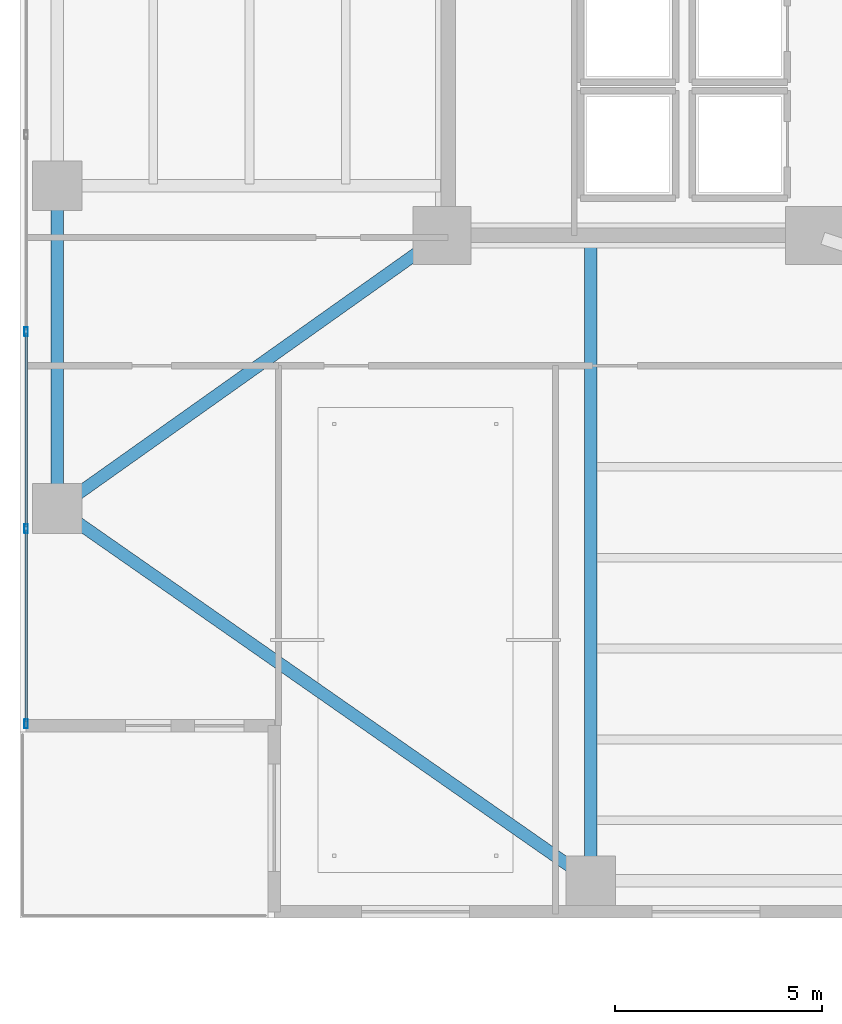
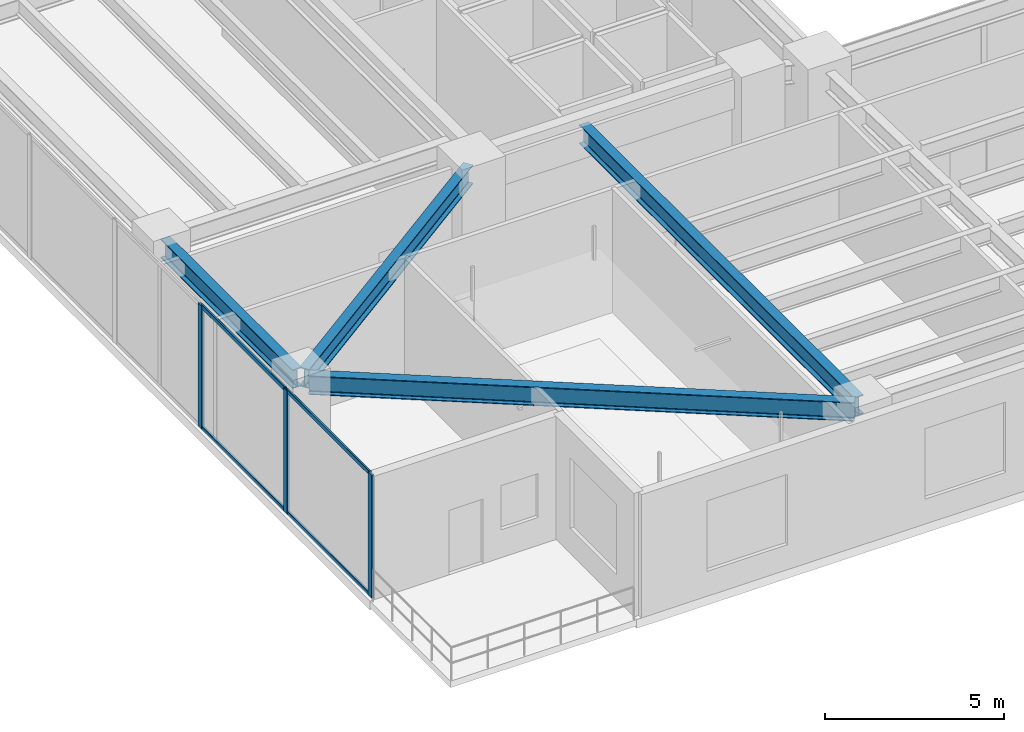
# One storey, part 2 of 40: 7 members, 4 beams, 1 element without a shape of its own.
"""IFC4 building model written with IfcOpenShell, lengths in metres."""

from ifc_helpers import new_model, si_unit, direction, frame, origin, origin_2d, place, context, subcontext, project, spatial, hollow_rectangle, i_section, extrude, material, layer, layer_set, material_profile, profile_set, type_object, element, aggregate, save


model = new_model("IFC4")

# Units and contexts
model_context = context("Model", 3, precision=1e-05, world=origin(), true_north=direction((0.0, 1.0)))
body_context = subcontext(model_context, "Body", "Model", "MODEL_VIEW")
ifc_project = project(units=[si_unit("LENGTHUNIT", "METRE"), si_unit("AREAUNIT", "SQUARE_METRE"), si_unit("VOLUMEUNIT", "CUBIC_METRE"), si_unit("PLANEANGLEUNIT", "RADIAN"), si_unit("MASSUNIT", "GRAM", prefix="KILO")], contexts=[model_context])

# Site, building, storey
site_placement = place(None, origin())
site = spatial("IfcSite", under=ifc_project, at=site_placement, CompositionType="ELEMENT")
building_placement = place(site_placement, origin())
building = spatial("IfcBuilding", under=site, at=building_placement, Name="Tarnavaz Court Tower", CompositionType="ELEMENT")
storey_placement = place(building_placement, frame((0.0, 0.0, 64.199951171875)))
storey = spatial("IfcBuildingStorey", under=building, at=storey_placement, Name="L17", CompositionType="ELEMENT", Elevation=64.199951171875)

# Beams
ifc_material_1 = material(Name="Steel S355", Category="steel")
ifc_material_profile_1 = material_profile(ifc_material_1, i_section(OverallWidth=0.300048828125, OverallDepth=0.64990234375, WebThickness=0.01611328125, FlangeThickness=0.031005859375, FilletRadius=0.027099609375, at=origin_2d()), Name="HEB 650")
ifc_profile_set_1 = profile_set([ifc_material_profile_1], Name="Steel S355")
beam_type_1 = type_object("IfcBeamType", Name="BM-G-HEB650", PredefinedType="USERDEFINED", material=ifc_profile_set_1)
beam_1_placement = place(storey_placement, frame((-15.0, -7.239990234375, 3.875), z_axis=(0.0, -1.0, 0.0), x_axis=(1.0, 0.0, 0.0)))
element("IfcBeam", 1, at=beam_1_placement, inside=storey, type_object=beam_type_1, Name="L17 Beam RG-05", ObjectType="GIRDER", PredefinedType="USERDEFINED", context=body_context, shape_type="SweptSolid", body=[
    extrude(i_section(OverallWidth=0.300048828125, OverallDepth=0.64990234375, WebThickness=0.01611328125, FlangeThickness=0.031005859375, FilletRadius=0.027099609375, at=origin_2d()), origin(), (0.0, 0.0, 1.0), 15.340087890625),
])
beam_2_placement = place(storey_placement, frame((-18.779296875, -7.327392578125, 3.875), z_axis=(-0.815520027245, -0.578728852886, 0.0), x_axis=(0.578728852886, -0.815520027245, 0.0)))
element("IfcBeam", 2, at=beam_2_placement, inside=storey, type_object=beam_type_1, Name="L17 Beam RG-15", ObjectType="GIRDER", PredefinedType="USERDEFINED", context=body_context, shape_type="SweptSolid", body=[
    extrude(i_section(OverallWidth=0.300048828125, OverallDepth=0.64990234375, WebThickness=0.01611328125, FlangeThickness=0.031005859375, FilletRadius=0.027099609375, at=origin_2d()), origin(), (0.0, 0.0, 1.0), 10.964111328125),
])
ifc_material_profile_2 = material_profile(ifc_material_1, i_section(OverallWidth=0.300048828125, OverallDepth=0.639892578125, WebThickness=0.013427734375, FlangeThickness=0.02587890625, FilletRadius=0.027099609375, at=origin_2d()), Name="HEA 650")
ifc_profile_set_2 = profile_set([ifc_material_profile_2], Name="Steel S355")
beam_type_2 = type_object("IfcBeamType", Name="BM-SP-HEA650", PredefinedType="SPANDREL", material=ifc_profile_set_2)
beam_3_placement = place(storey_placement, frame((-27.89990234375, -13.580078125, 3.880126953125), z_axis=(0.0, 1.0, 0.0), x_axis=(-1.0, 0.0, 0.0)))
element("IfcBeam", 3, at=beam_3_placement, inside=storey, type_object=beam_type_2, Name="L17 Beam PR-PW-1-PW-2", PredefinedType="SPANDREL", context=body_context, shape_type="SweptSolid", body=[
    extrude(i_section(OverallWidth=0.300048828125, OverallDepth=0.639892578125, WebThickness=0.013427734375, FlangeThickness=0.02587890625, FilletRadius=0.027099609375, at=origin_2d()), origin(), (0.0, 0.0, 1.0), 7.360107421875),
])
beam_4_placement = place(storey_placement, frame((-15.180419921875, -22.674072265625, 3.880126953125), z_axis=(-0.820123643324, 0.572186341729, 0.0), x_axis=(-0.572186341729, -0.820123643324, 0.0)))
element("IfcBeam", 4, at=beam_4_placement, inside=storey, type_object=beam_type_2, Name="L17 Beam PR-PS-1-PW-1", PredefinedType="SPANDREL", context=body_context, shape_type="SweptSolid", body=[
    extrude(i_section(OverallWidth=0.300048828125, OverallDepth=0.639892578125, WebThickness=0.013427734375, FlangeThickness=0.02587890625, FilletRadius=0.027099609375, at=origin_2d()), origin(), (0.0, 0.0, 1.0), 15.289306640625),
])

# Curtain wall, members
ifc_material_2 = material(Name="Anodised Aluminium 6063-T6 and Solar Low-E Glazing", Category="aluminium")
ifc_layer = layer(ifc_material_2, 0.199951171875)
ifc_layer_set = layer_set([ifc_layer], Name="Anodised Aluminium 6063-T6 and Solar Low-E Glazing")
curtain_wall_type = type_object("IfcCurtainWallType", Name="CW-SYS-05", PredefinedType="NOTDEFINED", material=ifc_layer_set)
curtain_wall_placement = place(storey_placement, origin())
curtain_wall = element("IfcCurtainWall", 5, at=curtain_wall_placement, inside=storey, type_object=curtain_wall_type, Name="L17 Sky-Portal Curtain Wall 2", PredefinedType="NOTDEFINED")
ifc_material_3 = material(Name="Anodised Aluminium 6063-T6", Category="aluminium")
ifc_material_profile_3 = material_profile(ifc_material_3, hollow_rectangle(XDim=0.0849609375, YDim=0.219970703125, WallThickness=0.006103515625, InnerFilletRadius=0.006103515625, OuterFilletRadius=0.011962890625, at=origin_2d()), Name="ALU RHS 220X85X6")
ifc_profile_set_3 = profile_set([ifc_material_profile_3], Name="Anodised Aluminium 6063-T6")
member_type_1 = type_object("IfcMemberType", Name="CW-MUL-220", PredefinedType="MULLION", material=ifc_profile_set_3)
member_1_placement = place(storey_placement, frame((-28.64990234375, -19.007568359375, 0.0), z_axis=(0.0, 0.0, 1.0), x_axis=(-1.0, 0.0, 0.0)))
member_1 = element("IfcMember", 6, at=member_1_placement, type_object=member_type_1, Name="CW mullion 1", PredefinedType="MULLION", context=body_context, shape_type="SweptSolid", body=[
    extrude(hollow_rectangle(XDim=0.0849609375, YDim=0.219970703125, WallThickness=0.006103515625, InnerFilletRadius=0.006103515625, OuterFilletRadius=0.011962890625, at=origin_2d()), origin(), (0.0, 0.0, 1.0), 4.199951171875),
])
member_2_placement = place(storey_placement, frame((-28.64990234375, -14.28759765625, 0.0), z_axis=(0.0, 0.0, 1.0), x_axis=(-1.0, 0.0, 0.0)))
member_2 = element("IfcMember", 7, at=member_2_placement, type_object=member_type_1, Name="CW mullion 2", PredefinedType="MULLION", context=body_context, shape_type="SweptSolid", body=[
    extrude(hollow_rectangle(XDim=0.0849609375, YDim=0.219970703125, WallThickness=0.006103515625, InnerFilletRadius=0.006103515625, OuterFilletRadius=0.011962890625, at=origin_2d()), origin(), (0.0, 0.0, 1.0), 4.199951171875),
])
member_3_placement = place(storey_placement, frame((-28.64990234375, -9.52490234375, 0.0), z_axis=(0.0, 0.0, 1.0), x_axis=(-1.0, 0.0, 0.0)))
member_3 = element("IfcMember", 8, at=member_3_placement, type_object=member_type_1, Name="CW mullion 3", PredefinedType="MULLION", context=body_context, shape_type="SweptSolid", body=[
    extrude(hollow_rectangle(XDim=0.0849609375, YDim=0.219970703125, WallThickness=0.006103515625, InnerFilletRadius=0.006103515625, OuterFilletRadius=0.011962890625, at=origin_2d()), origin(), (0.0, 0.0, 1.0), 4.199951171875),
])
ifc_material_profile_4 = material_profile(ifc_material_3, hollow_rectangle(XDim=0.06494140625, YDim=0.139892578125, WallThickness=0.00390625, InnerFilletRadius=0.00390625, OuterFilletRadius=0.008056640625, at=origin_2d()), Name="ALU RHS 140X65X4")
ifc_profile_set_4 = profile_set([ifc_material_profile_4], Name="Anodised Aluminium 6063-T6")
member_type_2 = type_object("IfcMemberType", Name="CW-TRN-140", PredefinedType="USERDEFINED", material=ifc_profile_set_4)
member_4_placement = place(storey_placement, frame((-28.64990234375, -18.965087890625, 0.032470703125), z_axis=(0.0, 1.0, 0.0), x_axis=(-1.0, 0.0, 0.0)))
member_4 = element("IfcMember", 9, at=member_4_placement, type_object=member_type_2, Name="CW transom 1.1", ObjectType="TRANSOM", PredefinedType="USERDEFINED", context=body_context, shape_type="SweptSolid", body=[
    extrude(hollow_rectangle(XDim=0.06494140625, YDim=0.139892578125, WallThickness=0.00390625, InnerFilletRadius=0.00390625, OuterFilletRadius=0.008056640625, at=origin_2d()), origin(), (0.0, 0.0, 1.0), 4.635009765625),
])
member_5_placement = place(storey_placement, frame((-28.64990234375, -18.965087890625, 4.16748046875), z_axis=(0.0, 1.0, 0.0), x_axis=(-1.0, 0.0, 0.0)))
member_5 = element("IfcMember", 10, at=member_5_placement, type_object=member_type_2, Name="CW transom 1.2", ObjectType="TRANSOM", PredefinedType="USERDEFINED", context=body_context, shape_type="SweptSolid", body=[
    extrude(hollow_rectangle(XDim=0.06494140625, YDim=0.139892578125, WallThickness=0.00390625, InnerFilletRadius=0.00390625, OuterFilletRadius=0.008056640625, at=origin_2d()), origin(), (0.0, 0.0, 1.0), 4.635009765625),
])
member_6_placement = place(storey_placement, frame((-28.64990234375, -14.2451171875, 0.032470703125), z_axis=(0.0, 1.0, 0.0), x_axis=(-1.0, 0.0, 0.0)))
member_6 = element("IfcMember", 11, at=member_6_placement, type_object=member_type_2, Name="CW transom 2.1", ObjectType="TRANSOM", PredefinedType="USERDEFINED", context=body_context, shape_type="SweptSolid", body=[
    extrude(hollow_rectangle(XDim=0.06494140625, YDim=0.139892578125, WallThickness=0.00390625, InnerFilletRadius=0.00390625, OuterFilletRadius=0.008056640625, at=origin_2d()), origin(), (0.0, 0.0, 1.0), 4.677734375),
])
member_7_placement = place(storey_placement, frame((-28.64990234375, -14.2451171875, 4.16748046875), z_axis=(0.0, 1.0, 0.0), x_axis=(-1.0, 0.0, 0.0)))
member_7 = element("IfcMember", 12, at=member_7_placement, type_object=member_type_2, Name="CW transom 2.2", ObjectType="TRANSOM", PredefinedType="USERDEFINED", context=body_context, shape_type="SweptSolid", body=[
    extrude(hollow_rectangle(XDim=0.06494140625, YDim=0.139892578125, WallThickness=0.00390625, InnerFilletRadius=0.00390625, OuterFilletRadius=0.008056640625, at=origin_2d()), origin(), (0.0, 0.0, 1.0), 4.677734375),
])
aggregate(curtain_wall, [member_1, member_2, member_3, member_4, member_5, member_6, member_7])

save(model, "model.ifc")
